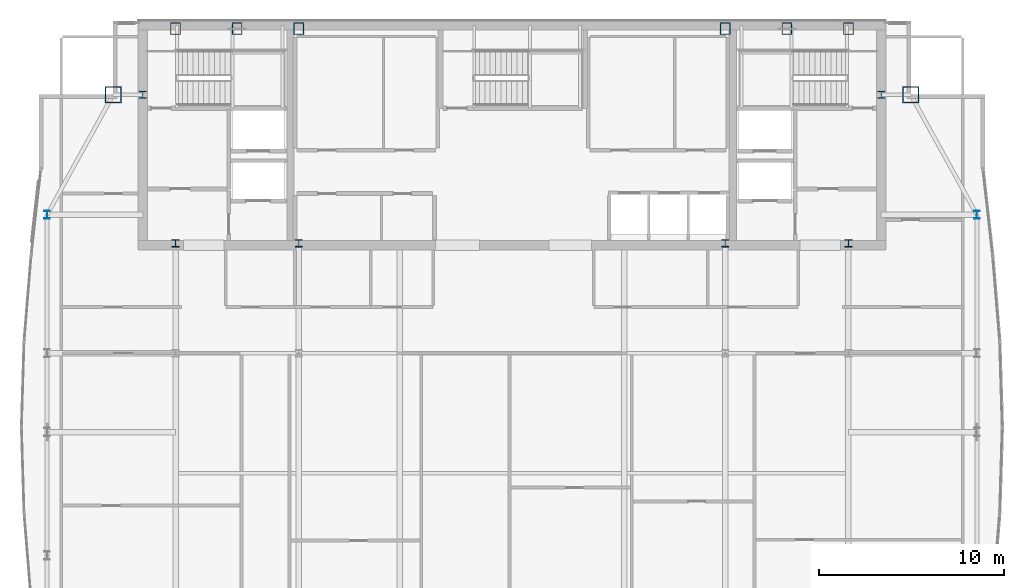
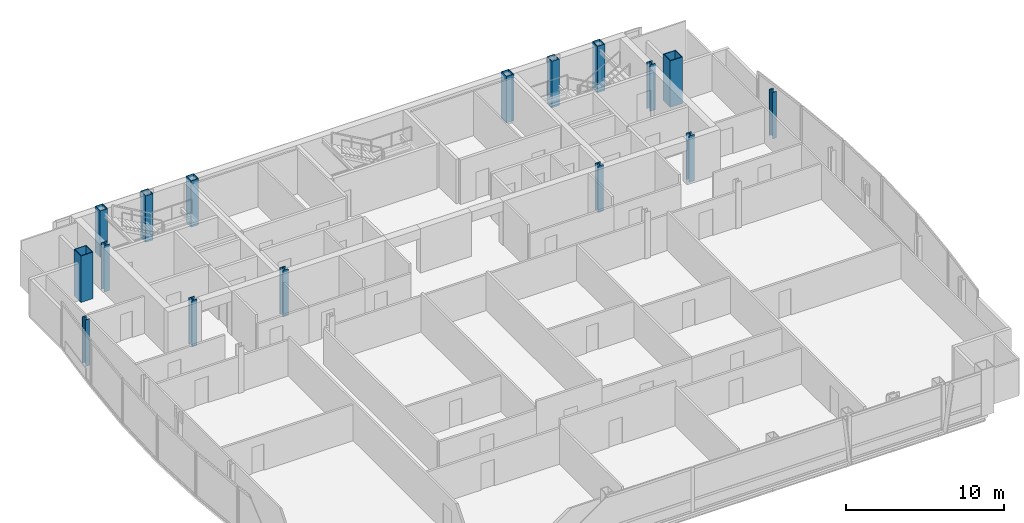
# One storey, part 3 of 25: 16 columns.
"""IFC4 building model written with IfcOpenShell, lengths in metres."""

import ifcopenshell
import ifcopenshell.guid

model = None  # the IFC model being written
_history = None  # IfcOwnerHistory: only IFC2X3 demands one
_inside = {}  # id of a spatial element -> (the spatial element, [elements in it])
_under = {}  # id of a project, library or spatial element -> (it, [spatial elements below it])
_declared = {}  # id of a project -> (the project, [libraries it declares])
_typed = {}  # id of a type object -> (the type object, [elements of that type])
_made_of = {}  # id of a material, layer set ... -> (it, [elements and type objects made of it])


def new_model(schema):
    """Start an empty IFC model of exactly this schema.

    Asked for "IFC4X3", IfcOpenShell would pick the latest addendum, in which some entities
    have other attributes; the version numbers below select the first issue.
    IFC2X3 requires an IfcOwnerHistory on every rooted entity: one is made here for all.
    """
    global model, _history
    if schema == "IFC4X3":
        model = ifcopenshell.file(schema_version=(4, 3, 0, 0))
    else:
        model = ifcopenshell.file(schema=schema)
    _inside.clear()
    _under.clear()
    _declared.clear()
    _typed.clear()
    _made_of.clear()
    _history = None
    if model.schema == "IFC2X3":
        org = make("IfcOrganization", Name="unknown")
        user = make(
            "IfcPersonAndOrganization",
            ThePerson=make("IfcPerson", FamilyName="unknown"),
            TheOrganization=org,
        )
        app = make(
            "IfcApplication",
            ApplicationDeveloper=org,
            Version="unknown",
            ApplicationFullName="unknown",
            ApplicationIdentifier="unknown",
        )
        _history = make(
            "IfcOwnerHistory",
            OwningUser=user,
            OwningApplication=app,
            ChangeAction="ADDED",
            CreationDate=0,
        )
    return model


def make(cls, **values):
    """One entity of the class cls with the attributes given. An attribute that is None is left unset."""
    return model.create_entity(
        cls, **{name: value for name, value in values.items() if value is not None}
    )


def rooted(cls, **values):
    """An entity with a GlobalId (a new one), such as an element, a storey or a relation."""
    return make(cls, GlobalId=ifcopenshell.guid.new(), OwnerHistory=_history, **values)


def si_unit(unit_type, name, prefix=None):
    """IfcSIUnit, for example si_unit("LENGTHUNIT", "METRE", prefix="MILLI")."""
    return make("IfcSIUnit", UnitType=unit_type, Prefix=prefix, Name=name)


def assignment(units):
    """IfcUnitAssignment: the units of a project."""
    return None if units is None else make("IfcUnitAssignment", Units=units)


def point(xyz):
    """IfcCartesianPoint."""
    return None if xyz is None else make("IfcCartesianPoint", Coordinates=xyz)


def direction(xyz):
    """IfcDirection."""
    return None if xyz is None else make("IfcDirection", DirectionRatios=xyz)


def frame(location, z_axis=None, x_axis=None):
    """IfcAxis2Placement3D, a coordinate frame: its origin and axes. An axis left out is left unset."""
    return make(
        "IfcAxis2Placement3D",
        Location=point(location),
        Axis=direction(z_axis),
        RefDirection=direction(x_axis),
    )


def frame_2d(location, x_axis=None):
    """IfcAxis2Placement2D, a coordinate frame in the plane: its origin and x axis."""
    return make(
        "IfcAxis2Placement2D", Location=point(location), RefDirection=direction(x_axis)
    )


def origin():
    """The frame at (0, 0, 0) with its axes left unset."""
    return frame((0.0, 0.0, 0.0))


def origin_2d():
    """The frame at (0, 0) in the plane with its x axis left unset."""
    return frame_2d((0.0, 0.0))


def place(relative_to, where):
    """IfcLocalPlacement: puts the frame where relative to a parent placement (None: the world)."""
    return make(
        "IfcLocalPlacement", PlacementRelTo=relative_to, RelativePlacement=where
    )


def context(
    kind, dimensions, precision=None, world=None, true_north=None, identifier=None
):
    """IfcGeometricRepresentationContext, for example the 3D "Model" context."""
    return make(
        "IfcGeometricRepresentationContext",
        ContextIdentifier=identifier,
        ContextType=kind,
        CoordinateSpaceDimension=dimensions,
        Precision=precision,
        WorldCoordinateSystem=world,
        TrueNorth=true_north,
    )


def subcontext(parent, identifier, kind, view, scale=None):
    """IfcGeometricRepresentationSubContext, for example "Body" below "Model"."""
    return make(
        "IfcGeometricRepresentationSubContext",
        ContextIdentifier=identifier,
        ContextType=kind,
        ParentContext=parent,
        TargetScale=scale,
        TargetView=view,
    )


def project(units=None, contexts=None):
    """IfcProject with its units and contexts."""
    return rooted(
        "IfcProject",
        Name="project",
        RepresentationContexts=contexts,
        UnitsInContext=assignment(units),
    )


def spatial(cls, under=None, at=None, **own):
    """A site, building, storey or space (cls), placed at a placement, below another one or the project."""
    s = rooted(cls, ObjectPlacement=at, **own)
    if under is not None:
        _under.setdefault(under.id(), (under, []))[1].append(s)
    return s


def profile(cls, at=None, kind="AREA", **sizes):
    """A parametric profile (cls). Its sizes go by their IFC names, for example OverallWidth=200.0."""
    return make(cls, ProfileType=kind, Position=at, **sizes)


def hollow_rectangle(**sizes):
    """IfcRectangleHollowProfileDef."""
    return profile("IfcRectangleHollowProfileDef", **sizes)


def i_section(**sizes):
    """IfcIShapeProfileDef."""
    return profile("IfcIShapeProfileDef", **sizes)


def extrude(swept, where, along, depth):
    """IfcExtrudedAreaSolid: the profile swept, set in the frame where, extruded along a direction by depth."""
    return make(
        "IfcExtrudedAreaSolid",
        SweptArea=swept,
        Position=where,
        ExtrudedDirection=direction(along),
        Depth=depth,
    )


def shape(context_of_items, identifier, shape_type, items):
    """IfcShapeRepresentation: the items that make up one representation, for example the "Body"."""
    return make(
        "IfcShapeRepresentation",
        ContextOfItems=context_of_items,
        RepresentationIdentifier=identifier,
        RepresentationType=shape_type,
        Items=items,
    )


def material(Name=None, Category=None):
    """IfcMaterial."""
    return make("IfcMaterial", Name=Name, Category=Category)


def material_profile(
    of_material, cross_section, Name=None, Category=None, Priority=None
):
    """IfcMaterialProfile: a cross section and its material."""
    return make(
        "IfcMaterialProfile",
        Name=Name,
        Material=of_material,
        Profile=cross_section,
        Priority=Priority,
        Category=Category,
    )


def profile_set(profiles, Name=None, composite=None):
    """IfcMaterialProfileSet."""
    return make(
        "IfcMaterialProfileSet",
        Name=Name,
        MaterialProfiles=profiles,
        CompositeProfile=composite,
    )


def made_of(thing, what):
    """Note that an element or type object is made of a material, layer set ...; save() writes the relation."""
    if what is not None:
        _made_of.setdefault(what.id(), (what, []))[1].append(thing)
    return thing


def type_object(cls, material=None, **own):
    """A type object (cls), such as IfcWallType, which elements share."""
    return made_of(rooted(cls, **own), material)


def element(
    cls,
    number,
    at=None,
    inside=None,
    cuts=None,
    type_object=None,
    material=None,
    context=None,
    identifier="Body",
    shape_type=None,
    held_by="IfcProductDefinitionShape",
    body=None,
    shapes=None,
    **own,
):
    """One element of the class cls, such as IfcWall. Its Tag is "e" and its number.

    at: its placement. inside: the storey or other place that contains it. cuts: it is an
    opening in that element (IfcRelVoidsElement). A single representation is given by context,
    identifier, shape_type and body (its items); several are given by shapes. held_by: the class
    of the entity that holds the representations. save() writes the other relations.
    """
    e = rooted(cls, Tag="e%d" % number, ObjectPlacement=at, **own)
    if body is not None:
        shapes = [shape(context, identifier, shape_type, body)]
    if shapes is not None:
        e.Representation = make(held_by, Representations=shapes)
    if inside is not None:
        _inside.setdefault(inside.id(), (inside, []))[1].append(e)
    if cuts is not None:
        rooted(
            "IfcRelVoidsElement", RelatingBuildingElement=cuts, RelatedOpeningElement=e
        )
    if type_object is not None:
        _typed.setdefault(type_object.id(), (type_object, []))[1].append(e)
    return made_of(e, material)


def aggregate(whole, parts):
    """IfcRelAggregates: a whole, such as a stair, and the parts it consists of."""
    return rooted("IfcRelAggregates", RelatingObject=whole, RelatedObjects=parts)


def save(model, path):
    """Write the relations noted so far, then the file.

    IfcRelAggregates (storeys below a building ...), IfcRelContainedInSpatialStructure (elements
    in a storey), IfcRelDefinesByType, IfcRelAssociatesMaterial and IfcRelDeclares: one each for
    every whole, place, type object, material and project.
    """
    for whole, parts in _under.values():
        aggregate(whole, parts)
    for where, things in _inside.values():
        rooted(
            "IfcRelContainedInSpatialStructure",
            RelatedElements=things,
            RelatingStructure=where,
        )
    for kind, things in _typed.values():
        rooted("IfcRelDefinesByType", RelatedObjects=things, RelatingType=kind)
    for what, things in _made_of.values():
        rooted("IfcRelAssociatesMaterial", RelatedObjects=things, RelatingMaterial=what)
    for by, libraries in _declared.values():
        rooted("IfcRelDeclares", RelatingContext=by, RelatedDefinitions=libraries)
    model.write(path)


model = new_model("IFC4")

# Units and contexts
model_context = context("Model", 3, precision=1e-05, world=origin(), true_north=direction((0.0, 1.0)))
body_context = subcontext(model_context, "Body", "Model", "MODEL_VIEW")
ifc_project = project(units=[si_unit("LENGTHUNIT", "METRE"), si_unit("AREAUNIT", "SQUARE_METRE"), si_unit("VOLUMEUNIT", "CUBIC_METRE"), si_unit("PLANEANGLEUNIT", "RADIAN"), si_unit("MASSUNIT", "GRAM", prefix="KILO")], contexts=[model_context])

# Site, building, storey
site_placement = place(None, origin())
site = spatial("IfcSite", under=ifc_project, at=site_placement, CompositionType="ELEMENT")
building_placement = place(site_placement, origin())
building = spatial("IfcBuilding", under=site, at=building_placement, Name="Khoronbel Lancet Exchange", CompositionType="ELEMENT")
storey_placement = place(building_placement, frame((0.0, 0.0, 298.60009765625)))
storey = spatial("IfcBuildingStorey", under=building, at=storey_placement, Name="L77", CompositionType="ELEMENT", Elevation=298.60009765625)

# Columns
ifc_material_1 = material(Name="Steel S460", Category="steel")
ifc_material_profile_1 = material_profile(ifc_material_1, hollow_rectangle(XDim=0.550048828125, YDim=0.64990234375, WallThickness=0.0400390625, at=origin_2d()), Name="BOX 650x550x40")
ifc_profile_set_1 = profile_set([ifc_material_profile_1], Name="Steel S460")
column_type_1 = type_object("IfcColumnType", Name="COL-EC4", PredefinedType="COLUMN", material=ifc_profile_set_1)
for number, where, z_axis, x_axis, name in (
    (1, (18.22509765625, 53.280029296875, 0.0), (0.0, 0.0, 1.0), (1.0, 0.0, 0.0), "Structural column NC-W1 L77"),
    (2, (21.5625, 53.280029296875, 0.0), (0.0, 0.0, 1.0), (1.0, 0.0, 0.0), "Structural column NC-WM L77"),
    (3, (24.89990234375, 53.280029296875, 0.0), (0.0, 0.0, 1.0), (1.0, 0.0, 0.0), "Structural column NC-W2 L77"),
    (4, (48.0, 53.280029296875, 0.0), (0.0, 0.0, 1.0), (1.0, 0.0, 0.0), "Structural column NC-E1 L77"),
    (5, (51.33740234375, 53.280029296875, 0.0), (0.0, 0.0, 1.0), (1.0, 0.0, 0.0), "Structural column NC-EM L77"),
    (6, (54.675048828125, 53.280029296875, 0.0), (0.0, 0.0, 1.0), (1.0, 0.0, 0.0), "Structural column NC-E2 L77"),
):
    element("IfcColumn", number, at=place(storey_placement, frame(where, z_axis=z_axis, x_axis=x_axis)), inside=storey, type_object=column_type_1, Name=name, PredefinedType="COLUMN", context=body_context, shape_type="SweptSolid", body=[
        extrude(hollow_rectangle(XDim=0.550048828125, YDim=0.64990234375, WallThickness=0.0400390625, at=origin_2d()), origin(), (0.0, 0.0, 1.0), 3.599853515625),
    ])
ifc_material_2 = material(Name="Steel S355", Category="steel")
ifc_material_profile_2 = material_profile(ifc_material_2, i_section(OverallWidth=0.39892578125, OverallDepth=0.39306640625, WebThickness=0.022705078125, FlangeThickness=0.03662109375, at=origin_2d()), Name="HD 400x287")
ifc_profile_set_2 = profile_set([ifc_material_profile_2], Name="Steel S355")
column_type_2 = type_object("IfcColumnType", Name="COL-IC4", PredefinedType="COLUMN", material=ifc_profile_set_2)
for number, where, z_axis, x_axis, name in (
    (7, (16.449951171875, 49.699951171875, 0.0), (0.0, 0.0, 1.0), (1.0, 0.0, 0.0), "Core-flank plumb transfer column CFW L77"),
    (8, (56.449951171875, 49.699951171875, 0.0), (0.0, 0.0, 1.0), (1.0, 0.0, 0.0), "Core-flank plumb transfer column CFE L77"),
    (9, (18.22509765625, 41.64990234375, 0.0), (0.0, 0.0, 1.0), (1.0, 0.0, 0.0), "Core-embedded steel column CTC1 L77"),
    (10, (24.89990234375, 41.64990234375, 0.0), (0.0, 0.0, 1.0), (1.0, 0.0, 0.0), "Core-embedded steel column CTC2 L77"),
    (11, (48.0, 41.64990234375, 0.0), (0.0, 0.0, 1.0), (1.0, 0.0, 0.0), "Core-embedded steel column CTC3 L77"),
    (12, (54.675048828125, 41.64990234375, 0.0), (0.0, 0.0, 1.0), (1.0, 0.0, 0.0), "Core-embedded steel column CTC4 L77"),
):
    element("IfcColumn", number, at=place(storey_placement, frame(where, z_axis=z_axis, x_axis=x_axis)), inside=storey, type_object=column_type_2, Name=name, PredefinedType="COLUMN", context=body_context, shape_type="SweptSolid", body=[
        extrude(i_section(OverallWidth=0.39892578125, OverallDepth=0.39306640625, WebThickness=0.022705078125, FlangeThickness=0.03662109375, at=origin_2d()), origin(), (0.0, 0.0, 1.0), 3.599853515625),
    ])
ifc_material_profile_3 = material_profile(ifc_material_2, i_section(OverallWidth=0.300048828125, OverallDepth=0.449951171875, WebThickness=0.013916015625, FlangeThickness=0.02587890625, at=origin_2d()), Name="HEB 450")
ifc_profile_set_3 = profile_set([ifc_material_profile_3], Name="Steel S355")
column_type_3 = type_object("IfcColumnType", Name="COL-LC2", PredefinedType="COLUMN", material=ifc_profile_set_3)
for number, where, z_axis, x_axis, name in (
    (13, (11.27001953125, 43.199951171875, 0.0), (0.0, 0.0, 1.0), (1.0, 0.0, 0.0), "Structural column WC-4 L77"),
    (14, (61.6298828125, 43.199951171875, 0.0), (0.0, 0.0, 1.0), (1.0, 0.0, 0.0), "Structural column EC-4 L77"),
):
    element("IfcColumn", number, at=place(storey_placement, frame(where, z_axis=z_axis, x_axis=x_axis)), inside=storey, type_object=column_type_3, Name=name, PredefinedType="COLUMN", context=body_context, shape_type="SweptSolid", body=[
        extrude(i_section(OverallWidth=0.300048828125, OverallDepth=0.449951171875, WebThickness=0.013916015625, FlangeThickness=0.02587890625, at=origin_2d()), origin(), (0.0, 0.0, 1.0), 3.599853515625),
    ])
ifc_material_profile_4 = material_profile(ifc_material_1, hollow_rectangle(XDim=0.89990234375, YDim=0.89990234375, WallThickness=0.050048828125, at=origin_2d()), Name="BOX 900x900x50")
ifc_profile_set_4 = profile_set([ifc_material_profile_4], Name="Steel S460")
column_type_4 = type_object("IfcColumnType", Name="COL-MC7", PredefinedType="COLUMN", material=ifc_profile_set_4)
for number, where, z_axis, x_axis, name in (
    (15, (58.050048828125, 49.699951171875, 0.0), (0.0, 0.0, 1.0), (1.0, 0.0, 0.0), "Structural column MC-NE L77"),
    (16, (14.85009765625, 49.699951171875, 0.0), (0.0, 0.0, 1.0), (1.0, 0.0, 0.0), "Structural column MC-NW L77"),
):
    element("IfcColumn", number, at=place(storey_placement, frame(where, z_axis=z_axis, x_axis=x_axis)), inside=storey, type_object=column_type_4, Name=name, PredefinedType="COLUMN", context=body_context, shape_type="SweptSolid", body=[
        extrude(hollow_rectangle(XDim=0.89990234375, YDim=0.89990234375, WallThickness=0.050048828125, at=origin_2d()), origin(), (0.0, 0.0, 1.0), 3.599853515625),
    ])

save(model, "model.ifc")
